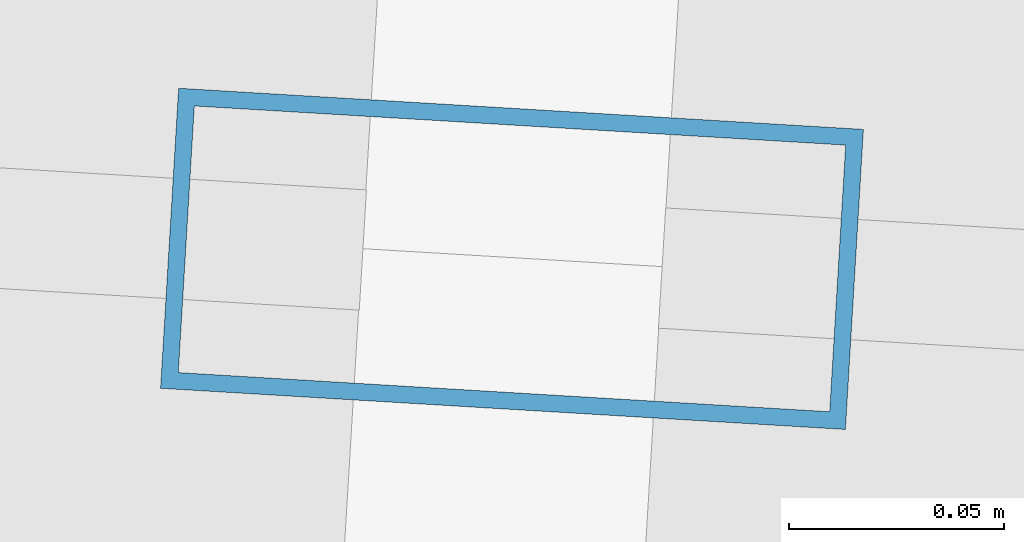
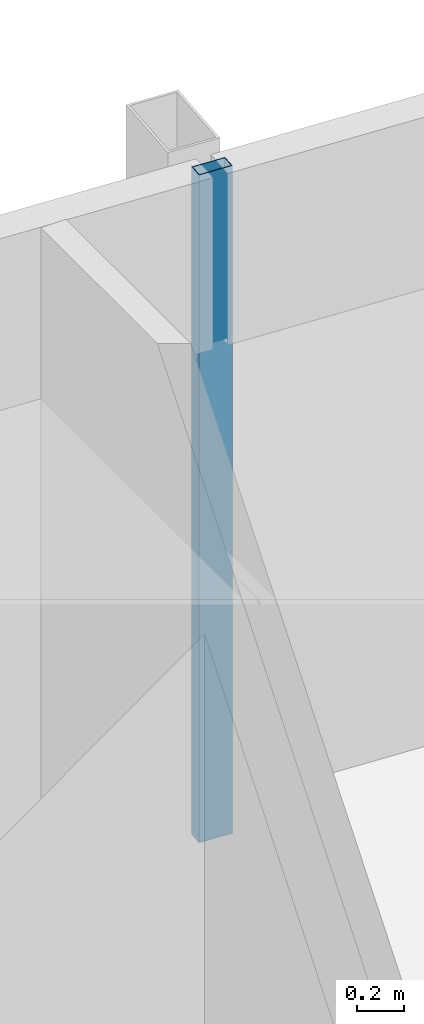
# One storey, part 17 of 38: 1 member, 1 element without a shape of its own.
"""IFC4 building model written with IfcOpenShell, lengths in metres."""

import ifcopenshell
import ifcopenshell.guid

model = None  # the IFC model being written
_history = None  # IfcOwnerHistory: only IFC2X3 demands one
_inside = {}  # id of a spatial element -> (the spatial element, [elements in it])
_under = {}  # id of a project, library or spatial element -> (it, [spatial elements below it])
_declared = {}  # id of a project -> (the project, [libraries it declares])
_typed = {}  # id of a type object -> (the type object, [elements of that type])
_made_of = {}  # id of a material, layer set ... -> (it, [elements and type objects made of it])


def new_model(schema):
    """Start an empty IFC model of exactly this schema.

    Asked for "IFC4X3", IfcOpenShell would pick the latest addendum, in which some entities
    have other attributes; the version numbers below select the first issue.
    IFC2X3 requires an IfcOwnerHistory on every rooted entity: one is made here for all.
    """
    global model, _history
    if schema == "IFC4X3":
        model = ifcopenshell.file(schema_version=(4, 3, 0, 0))
    else:
        model = ifcopenshell.file(schema=schema)
    _inside.clear()
    _under.clear()
    _declared.clear()
    _typed.clear()
    _made_of.clear()
    _history = None
    if model.schema == "IFC2X3":
        org = make("IfcOrganization", Name="unknown")
        user = make(
            "IfcPersonAndOrganization",
            ThePerson=make("IfcPerson", FamilyName="unknown"),
            TheOrganization=org,
        )
        app = make(
            "IfcApplication",
            ApplicationDeveloper=org,
            Version="unknown",
            ApplicationFullName="unknown",
            ApplicationIdentifier="unknown",
        )
        _history = make(
            "IfcOwnerHistory",
            OwningUser=user,
            OwningApplication=app,
            ChangeAction="ADDED",
            CreationDate=0,
        )
    return model


def make(cls, **values):
    """One entity of the class cls with the attributes given. An attribute that is None is left unset."""
    return model.create_entity(
        cls, **{name: value for name, value in values.items() if value is not None}
    )


def rooted(cls, **values):
    """An entity with a GlobalId (a new one), such as an element, a storey or a relation."""
    return make(cls, GlobalId=ifcopenshell.guid.new(), OwnerHistory=_history, **values)


def si_unit(unit_type, name, prefix=None):
    """IfcSIUnit, for example si_unit("LENGTHUNIT", "METRE", prefix="MILLI")."""
    return make("IfcSIUnit", UnitType=unit_type, Prefix=prefix, Name=name)


def assignment(units):
    """IfcUnitAssignment: the units of a project."""
    return None if units is None else make("IfcUnitAssignment", Units=units)


def point(xyz):
    """IfcCartesianPoint."""
    return None if xyz is None else make("IfcCartesianPoint", Coordinates=xyz)


def direction(xyz):
    """IfcDirection."""
    return None if xyz is None else make("IfcDirection", DirectionRatios=xyz)


def frame(location, z_axis=None, x_axis=None):
    """IfcAxis2Placement3D, a coordinate frame: its origin and axes. An axis left out is left unset."""
    return make(
        "IfcAxis2Placement3D",
        Location=point(location),
        Axis=direction(z_axis),
        RefDirection=direction(x_axis),
    )


def frame_2d(location, x_axis=None):
    """IfcAxis2Placement2D, a coordinate frame in the plane: its origin and x axis."""
    return make(
        "IfcAxis2Placement2D", Location=point(location), RefDirection=direction(x_axis)
    )


def origin():
    """The frame at (0, 0, 0) with its axes left unset."""
    return frame((0.0, 0.0, 0.0))


def origin_2d():
    """The frame at (0, 0) in the plane with its x axis left unset."""
    return frame_2d((0.0, 0.0))


def place(relative_to, where):
    """IfcLocalPlacement: puts the frame where relative to a parent placement (None: the world)."""
    return make(
        "IfcLocalPlacement", PlacementRelTo=relative_to, RelativePlacement=where
    )


def context(
    kind, dimensions, precision=None, world=None, true_north=None, identifier=None
):
    """IfcGeometricRepresentationContext, for example the 3D "Model" context."""
    return make(
        "IfcGeometricRepresentationContext",
        ContextIdentifier=identifier,
        ContextType=kind,
        CoordinateSpaceDimension=dimensions,
        Precision=precision,
        WorldCoordinateSystem=world,
        TrueNorth=true_north,
    )


def subcontext(parent, identifier, kind, view, scale=None):
    """IfcGeometricRepresentationSubContext, for example "Body" below "Model"."""
    return make(
        "IfcGeometricRepresentationSubContext",
        ContextIdentifier=identifier,
        ContextType=kind,
        ParentContext=parent,
        TargetScale=scale,
        TargetView=view,
    )


def project(units=None, contexts=None):
    """IfcProject with its units and contexts."""
    return rooted(
        "IfcProject",
        Name="project",
        RepresentationContexts=contexts,
        UnitsInContext=assignment(units),
    )


def spatial(cls, under=None, at=None, **own):
    """A site, building, storey or space (cls), placed at a placement, below another one or the project."""
    s = rooted(cls, ObjectPlacement=at, **own)
    if under is not None:
        _under.setdefault(under.id(), (under, []))[1].append(s)
    return s


def profile(cls, at=None, kind="AREA", **sizes):
    """A parametric profile (cls). Its sizes go by their IFC names, for example OverallWidth=200.0."""
    return make(cls, ProfileType=kind, Position=at, **sizes)


def hollow_rectangle(**sizes):
    """IfcRectangleHollowProfileDef."""
    return profile("IfcRectangleHollowProfileDef", **sizes)


def extrude(swept, where, along, depth):
    """IfcExtrudedAreaSolid: the profile swept, set in the frame where, extruded along a direction by depth."""
    return make(
        "IfcExtrudedAreaSolid",
        SweptArea=swept,
        Position=where,
        ExtrudedDirection=direction(along),
        Depth=depth,
    )


def shape(context_of_items, identifier, shape_type, items):
    """IfcShapeRepresentation: the items that make up one representation, for example the "Body"."""
    return make(
        "IfcShapeRepresentation",
        ContextOfItems=context_of_items,
        RepresentationIdentifier=identifier,
        RepresentationType=shape_type,
        Items=items,
    )


def material(Name=None, Category=None):
    """IfcMaterial."""
    return make("IfcMaterial", Name=Name, Category=Category)


def material_profile(
    of_material, cross_section, Name=None, Category=None, Priority=None
):
    """IfcMaterialProfile: a cross section and its material."""
    return make(
        "IfcMaterialProfile",
        Name=Name,
        Material=of_material,
        Profile=cross_section,
        Priority=Priority,
        Category=Category,
    )


def profile_set(profiles, Name=None, composite=None):
    """IfcMaterialProfileSet."""
    return make(
        "IfcMaterialProfileSet",
        Name=Name,
        MaterialProfiles=profiles,
        CompositeProfile=composite,
    )


def made_of(thing, what):
    """Note that an element or type object is made of a material, layer set ...; save() writes the relation."""
    if what is not None:
        _made_of.setdefault(what.id(), (what, []))[1].append(thing)
    return thing


def type_object(cls, material=None, **own):
    """A type object (cls), such as IfcWallType, which elements share."""
    return made_of(rooted(cls, **own), material)


def element(
    cls,
    number,
    at=None,
    inside=None,
    cuts=None,
    type_object=None,
    material=None,
    context=None,
    identifier="Body",
    shape_type=None,
    held_by="IfcProductDefinitionShape",
    body=None,
    shapes=None,
    **own,
):
    """One element of the class cls, such as IfcWall. Its Tag is "e" and its number.

    at: its placement. inside: the storey or other place that contains it. cuts: it is an
    opening in that element (IfcRelVoidsElement). A single representation is given by context,
    identifier, shape_type and body (its items); several are given by shapes. held_by: the class
    of the entity that holds the representations. save() writes the other relations.
    """
    e = rooted(cls, Tag="e%d" % number, ObjectPlacement=at, **own)
    if body is not None:
        shapes = [shape(context, identifier, shape_type, body)]
    if shapes is not None:
        e.Representation = make(held_by, Representations=shapes)
    if inside is not None:
        _inside.setdefault(inside.id(), (inside, []))[1].append(e)
    if cuts is not None:
        rooted(
            "IfcRelVoidsElement", RelatingBuildingElement=cuts, RelatedOpeningElement=e
        )
    if type_object is not None:
        _typed.setdefault(type_object.id(), (type_object, []))[1].append(e)
    return made_of(e, material)


def aggregate(whole, parts):
    """IfcRelAggregates: a whole, such as a stair, and the parts it consists of."""
    return rooted("IfcRelAggregates", RelatingObject=whole, RelatedObjects=parts)


def save(model, path):
    """Write the relations noted so far, then the file.

    IfcRelAggregates (storeys below a building ...), IfcRelContainedInSpatialStructure (elements
    in a storey), IfcRelDefinesByType, IfcRelAssociatesMaterial and IfcRelDeclares: one each for
    every whole, place, type object, material and project.
    """
    for whole, parts in _under.values():
        aggregate(whole, parts)
    for where, things in _inside.values():
        rooted(
            "IfcRelContainedInSpatialStructure",
            RelatedElements=things,
            RelatingStructure=where,
        )
    for kind, things in _typed.values():
        rooted("IfcRelDefinesByType", RelatedObjects=things, RelatingType=kind)
    for what, things in _made_of.values():
        rooted("IfcRelAssociatesMaterial", RelatedObjects=things, RelatingMaterial=what)
    for by, libraries in _declared.values():
        rooted("IfcRelDeclares", RelatingContext=by, RelatedDefinitions=libraries)
    model.write(path)


model = new_model("IFC4")

# Units and contexts
model_context = context("Model", 3, precision=1e-05, world=origin(), true_north=direction((0.0, 1.0)))
body_context = subcontext(model_context, "Body", "Model", "MODEL_VIEW")
ifc_project = project(units=[si_unit("LENGTHUNIT", "METRE"), si_unit("AREAUNIT", "SQUARE_METRE"), si_unit("VOLUMEUNIT", "CUBIC_METRE"), si_unit("PLANEANGLEUNIT", "RADIAN"), si_unit("MASSUNIT", "GRAM", prefix="KILO")], contexts=[model_context])

# Site, building, storey
site_placement = place(None, origin())
site = spatial("IfcSite", under=ifc_project, at=site_placement, CompositionType="ELEMENT")
building_placement = place(site_placement, origin())
building = spatial("IfcBuilding", under=site, at=building_placement, Name="Rekha Terrace Tower", CompositionType="ELEMENT")
storey_placement = place(building_placement, frame((0.0, 0.0, 114.050048828125)))
storey = spatial("IfcBuildingStorey", under=building, at=storey_placement, Name="L28", CompositionType="ELEMENT", Elevation=114.050048828125)

# Curtain wall, member
ifc_material_1 = material(Name="Aluminium framing", Category="aluminium")
curtain_wall_type = type_object("IfcCurtainWallType", Name="CW3 north unitised glazing", PredefinedType="USERDEFINED", material=ifc_material_1)
curtain_wall_placement = place(storey_placement, origin())
curtain_wall = element("IfcCurtainWall", 1, at=curtain_wall_placement, inside=storey, type_object=curtain_wall_type, Name="CW3 unitised curtain wall", ObjectType="UNITISED CURTAIN WALL", PredefinedType="USERDEFINED")
ifc_material_2 = material(Name="Aluminium mullion section", Category="aluminium")
ifc_material_profile = material_profile(ifc_material_2, hollow_rectangle(XDim=0.070068359375, YDim=0.159912109375, WallThickness=0.00390625, at=origin_2d()), Name="AL RHS 70x160")
ifc_profile_set = profile_set([ifc_material_profile], Name="Aluminium mullion section")
member_type = type_object("IfcMemberType", Name="CW3 mullion RHS 70 x 160", PredefinedType="MULLION", material=ifc_profile_set)
member_placement = place(storey_placement, frame((52.299560546875, 61.4033203125, 0.0), z_axis=(0.0, 0.0, 1.0), x_axis=(-0.059987926837, -0.998199102701, 0.0)))
member = element("IfcMember", 2, at=member_placement, type_object=member_type, Name="CW3 mullion 3", PredefinedType="MULLION", context=body_context, shape_type="SweptSolid", body=[
    extrude(hollow_rectangle(XDim=0.070068359375, YDim=0.159912109375, WallThickness=0.00390625, at=origin_2d()), origin(), (0.0, 0.0, 1.0), 3.5),
])
aggregate(curtain_wall, [member])

save(model, "model.ifc")
